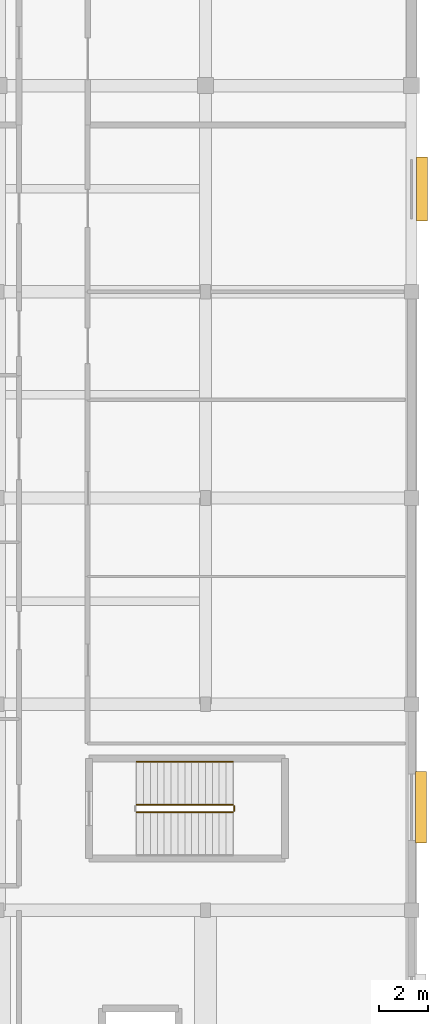
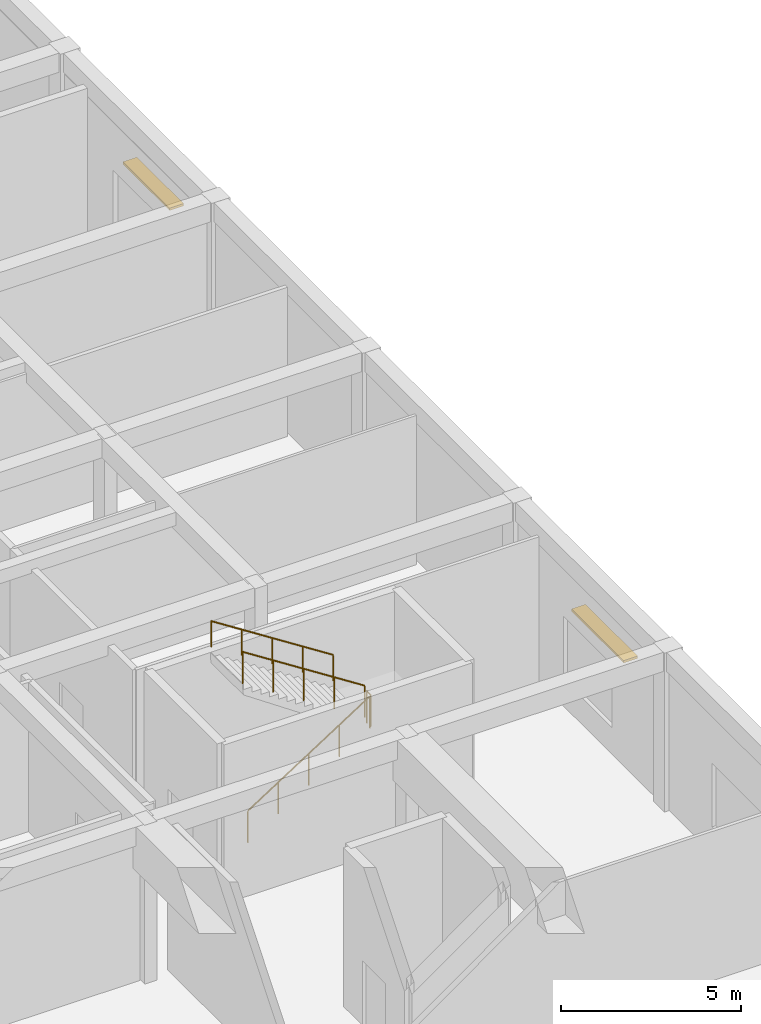
# One storey, part 87 of 89: 4 railings, 2 shading devices.
"""IFC4 building model written with IfcOpenShell, lengths in metres."""

import ifcopenshell
import ifcopenshell.guid

model = None  # the IFC model being written
_history = None  # IfcOwnerHistory: only IFC2X3 demands one
_inside = {}  # id of a spatial element -> (the spatial element, [elements in it])
_under = {}  # id of a project, library or spatial element -> (it, [spatial elements below it])
_declared = {}  # id of a project -> (the project, [libraries it declares])
_typed = {}  # id of a type object -> (the type object, [elements of that type])
_made_of = {}  # id of a material, layer set ... -> (it, [elements and type objects made of it])


def new_model(schema):
    """Start an empty IFC model of exactly this schema.

    Asked for "IFC4X3", IfcOpenShell would pick the latest addendum, in which some entities
    have other attributes; the version numbers below select the first issue.
    IFC2X3 requires an IfcOwnerHistory on every rooted entity: one is made here for all.
    """
    global model, _history
    if schema == "IFC4X3":
        model = ifcopenshell.file(schema_version=(4, 3, 0, 0))
    else:
        model = ifcopenshell.file(schema=schema)
    _inside.clear()
    _under.clear()
    _declared.clear()
    _typed.clear()
    _made_of.clear()
    _history = None
    if model.schema == "IFC2X3":
        org = make("IfcOrganization", Name="unknown")
        user = make(
            "IfcPersonAndOrganization",
            ThePerson=make("IfcPerson", FamilyName="unknown"),
            TheOrganization=org,
        )
        app = make(
            "IfcApplication",
            ApplicationDeveloper=org,
            Version="unknown",
            ApplicationFullName="unknown",
            ApplicationIdentifier="unknown",
        )
        _history = make(
            "IfcOwnerHistory",
            OwningUser=user,
            OwningApplication=app,
            ChangeAction="ADDED",
            CreationDate=0,
        )
    return model


def make(cls, **values):
    """One entity of the class cls with the attributes given. An attribute that is None is left unset."""
    return model.create_entity(
        cls, **{name: value for name, value in values.items() if value is not None}
    )


def rooted(cls, **values):
    """An entity with a GlobalId (a new one), such as an element, a storey or a relation."""
    return make(cls, GlobalId=ifcopenshell.guid.new(), OwnerHistory=_history, **values)


def si_unit(unit_type, name, prefix=None):
    """IfcSIUnit, for example si_unit("LENGTHUNIT", "METRE", prefix="MILLI")."""
    return make("IfcSIUnit", UnitType=unit_type, Prefix=prefix, Name=name)


def assignment(units):
    """IfcUnitAssignment: the units of a project."""
    return None if units is None else make("IfcUnitAssignment", Units=units)


def point(xyz):
    """IfcCartesianPoint."""
    return None if xyz is None else make("IfcCartesianPoint", Coordinates=xyz)


def direction(xyz):
    """IfcDirection."""
    return None if xyz is None else make("IfcDirection", DirectionRatios=xyz)


def frame(location, z_axis=None, x_axis=None):
    """IfcAxis2Placement3D, a coordinate frame: its origin and axes. An axis left out is left unset."""
    return make(
        "IfcAxis2Placement3D",
        Location=point(location),
        Axis=direction(z_axis),
        RefDirection=direction(x_axis),
    )


def frame_2d(location, x_axis=None):
    """IfcAxis2Placement2D, a coordinate frame in the plane: its origin and x axis."""
    return make(
        "IfcAxis2Placement2D", Location=point(location), RefDirection=direction(x_axis)
    )


def origin():
    """The frame at (0, 0, 0) with its axes left unset."""
    return frame((0.0, 0.0, 0.0))


def origin_2d():
    """The frame at (0, 0) in the plane with its x axis left unset."""
    return frame_2d((0.0, 0.0))


def place(relative_to, where):
    """IfcLocalPlacement: puts the frame where relative to a parent placement (None: the world)."""
    return make(
        "IfcLocalPlacement", PlacementRelTo=relative_to, RelativePlacement=where
    )


def context(
    kind, dimensions, precision=None, world=None, true_north=None, identifier=None
):
    """IfcGeometricRepresentationContext, for example the 3D "Model" context."""
    return make(
        "IfcGeometricRepresentationContext",
        ContextIdentifier=identifier,
        ContextType=kind,
        CoordinateSpaceDimension=dimensions,
        Precision=precision,
        WorldCoordinateSystem=world,
        TrueNorth=true_north,
    )


def subcontext(parent, identifier, kind, view, scale=None):
    """IfcGeometricRepresentationSubContext, for example "Body" below "Model"."""
    return make(
        "IfcGeometricRepresentationSubContext",
        ContextIdentifier=identifier,
        ContextType=kind,
        ParentContext=parent,
        TargetScale=scale,
        TargetView=view,
    )


def project(units=None, contexts=None):
    """IfcProject with its units and contexts."""
    return rooted(
        "IfcProject",
        Name="project",
        RepresentationContexts=contexts,
        UnitsInContext=assignment(units),
    )


def spatial(cls, under=None, at=None, **own):
    """A site, building, storey or space (cls), placed at a placement, below another one or the project."""
    s = rooted(cls, ObjectPlacement=at, **own)
    if under is not None:
        _under.setdefault(under.id(), (under, []))[1].append(s)
    return s


def profile(cls, at=None, kind="AREA", **sizes):
    """A parametric profile (cls). Its sizes go by their IFC names, for example OverallWidth=200.0."""
    return make(cls, ProfileType=kind, Position=at, **sizes)


def rectangle(**sizes):
    """IfcRectangleProfileDef."""
    return profile("IfcRectangleProfileDef", **sizes)


def circle(**sizes):
    """IfcCircleProfileDef."""
    return profile("IfcCircleProfileDef", **sizes)


def extrude(swept, where, along, depth):
    """IfcExtrudedAreaSolid: the profile swept, set in the frame where, extruded along a direction by depth."""
    return make(
        "IfcExtrudedAreaSolid",
        SweptArea=swept,
        Position=where,
        ExtrudedDirection=direction(along),
        Depth=depth,
    )


def shape(context_of_items, identifier, shape_type, items):
    """IfcShapeRepresentation: the items that make up one representation, for example the "Body"."""
    return make(
        "IfcShapeRepresentation",
        ContextOfItems=context_of_items,
        RepresentationIdentifier=identifier,
        RepresentationType=shape_type,
        Items=items,
    )


def material(Name=None, Category=None):
    """IfcMaterial."""
    return make("IfcMaterial", Name=Name, Category=Category)


def layer(
    of_material, thickness, ventilated=None, Name=None, Category=None, Priority=None
):
    """IfcMaterialLayer: one layer of a wall or slab, of a material (None: an air gap)."""
    return make(
        "IfcMaterialLayer",
        Material=of_material,
        LayerThickness=thickness,
        IsVentilated=ventilated,
        Name=Name,
        Category=Category,
        Priority=Priority,
    )


def layer_set(layers, Name=None):
    """IfcMaterialLayerSet."""
    return make("IfcMaterialLayerSet", MaterialLayers=layers, LayerSetName=Name)


def made_of(thing, what):
    """Note that an element or type object is made of a material, layer set ...; save() writes the relation."""
    if what is not None:
        _made_of.setdefault(what.id(), (what, []))[1].append(thing)
    return thing


def type_object(cls, material=None, **own):
    """A type object (cls), such as IfcWallType, which elements share."""
    return made_of(rooted(cls, **own), material)


def element(
    cls,
    number,
    at=None,
    inside=None,
    cuts=None,
    type_object=None,
    material=None,
    context=None,
    identifier="Body",
    shape_type=None,
    held_by="IfcProductDefinitionShape",
    body=None,
    shapes=None,
    **own,
):
    """One element of the class cls, such as IfcWall. Its Tag is "e" and its number.

    at: its placement. inside: the storey or other place that contains it. cuts: it is an
    opening in that element (IfcRelVoidsElement). A single representation is given by context,
    identifier, shape_type and body (its items); several are given by shapes. held_by: the class
    of the entity that holds the representations. save() writes the other relations.
    """
    e = rooted(cls, Tag="e%d" % number, ObjectPlacement=at, **own)
    if body is not None:
        shapes = [shape(context, identifier, shape_type, body)]
    if shapes is not None:
        e.Representation = make(held_by, Representations=shapes)
    if inside is not None:
        _inside.setdefault(inside.id(), (inside, []))[1].append(e)
    if cuts is not None:
        rooted(
            "IfcRelVoidsElement", RelatingBuildingElement=cuts, RelatedOpeningElement=e
        )
    if type_object is not None:
        _typed.setdefault(type_object.id(), (type_object, []))[1].append(e)
    return made_of(e, material)


def aggregate(whole, parts):
    """IfcRelAggregates: a whole, such as a stair, and the parts it consists of."""
    return rooted("IfcRelAggregates", RelatingObject=whole, RelatedObjects=parts)


def save(model, path):
    """Write the relations noted so far, then the file.

    IfcRelAggregates (storeys below a building ...), IfcRelContainedInSpatialStructure (elements
    in a storey), IfcRelDefinesByType, IfcRelAssociatesMaterial and IfcRelDeclares: one each for
    every whole, place, type object, material and project.
    """
    for whole, parts in _under.values():
        aggregate(whole, parts)
    for where, things in _inside.values():
        rooted(
            "IfcRelContainedInSpatialStructure",
            RelatedElements=things,
            RelatingStructure=where,
        )
    for kind, things in _typed.values():
        rooted("IfcRelDefinesByType", RelatedObjects=things, RelatingType=kind)
    for what, things in _made_of.values():
        rooted("IfcRelAssociatesMaterial", RelatedObjects=things, RelatingMaterial=what)
    for by, libraries in _declared.values():
        rooted("IfcRelDeclares", RelatingContext=by, RelatedDefinitions=libraries)
    model.write(path)


model = new_model("IFC4")

# Units and contexts
model_context = context("Model", 3, precision=1e-05, world=origin(), true_north=direction((0.0, 1.0)))
body_context = subcontext(model_context, "Body", "Model", "MODEL_VIEW")
ifc_project = project(units=[si_unit("LENGTHUNIT", "METRE"), si_unit("AREAUNIT", "SQUARE_METRE"), si_unit("VOLUMEUNIT", "CUBIC_METRE"), si_unit("PLANEANGLEUNIT", "RADIAN"), si_unit("MASSUNIT", "GRAM", prefix="KILO")], contexts=[model_context])

# Site, building, storey
site_placement = place(None, origin())
site = spatial("IfcSite", under=ifc_project, at=site_placement, CompositionType="ELEMENT")
building_placement = place(site_placement, origin())
building = spatial("IfcBuilding", under=site, at=building_placement, Name="Varncliffe General Hospital", CompositionType="ELEMENT")
storey_placement = place(building_placement, frame((0.0, 0.0, 10.800048828125)))
storey = spatial("IfcBuildingStorey", under=building, at=storey_placement, Name="L02", CompositionType="ELEMENT", Elevation=10.800048828125)

# Shading devices
ifc_material_1 = material(Name="Dark bronze extruded aluminium solar jalousie louvres", Category="aluminium")
ifc_layer = layer(ifc_material_1, 0.080078125)
ifc_layer_set = layer_set([ifc_layer], Name="Dark bronze extruded aluminium solar jalousie louvres")
shading_device_type = type_object("IfcShadingDeviceType", Name="Bronze Solar Jalousie Louvre Hood SHD18", PredefinedType="JALOUSIE", material=ifc_layer_set)
shading_device_1_placement = place(storey_placement, frame((176.81494140625, 86.987548828125, 3.059814453125), z_axis=(0.0, 0.0, 1.0), x_axis=(0.0, -1.0, 0.0)))
element("IfcShadingDevice", 1, at=shading_device_1_placement, inside=storey, type_object=shading_device_type, Name="L02 Bronze Window Sun-Shading Louvre 50", PredefinedType="JALOUSIE", context=body_context, shape_type="SweptSolid", body=[
    extrude(rectangle(XDim=2.60009765625, YDim=0.449951171875, at=origin_2d()), origin(), (0.0, 0.0, 1.0), 0.080078125),
])
shading_device_2_placement = place(storey_placement, frame((176.780029296875, 61.800048828125, 3.059814453125), z_axis=(0.0, 0.0, 1.0), x_axis=(0.0, -1.0, 0.0)))
element("IfcShadingDevice", 2, at=shading_device_2_placement, inside=storey, type_object=shading_device_type, Name="L02 Bronze Window Sun-Shading Louvre 51", PredefinedType="JALOUSIE", context=body_context, shape_type="SweptSolid", body=[
    extrude(rectangle(XDim=2.89990234375, YDim=0.449951171875, at=origin_2d()), origin(), (0.0, 0.0, 1.0), 0.080078125),
])

# Railings
ifc_material_2 = material(Name="Powder-coated hospital steel guardrail and handrail", Category="steel")
railing_type_1 = type_object("IfcRailingType", Name="Stair and Ramp Handrail HR46", PredefinedType="HANDRAIL", material=ifc_material_2)
railing_1_placement = place(storey_placement, frame((169.1201171875, 63.64990234375, 3.06396484375)))
element("IfcRailing", 3, at=railing_1_placement, inside=storey, type_object=railing_type_1, Name="L02 ST07 stair handrail 2", PredefinedType="HANDRAIL", context=body_context, shape_type="SweptSolid", body=[
    extrude(circle(Radius=0.02392578125, at=origin_2d()), frame((0.0, 0.0, 0.8759765625), z_axis=(-0.841186985886, 0.0, 0.540744352514), x_axis=(0.0, -1.0, 0.0)), (0.0, 0.0, 1.0), 4.660400390625),
    extrude(circle(Radius=0.02099609375, at=origin_2d()), origin(), (0.0, 0.0, 1.0), 0.851806640625),
    extrude(circle(Radius=0.02099609375, at=origin_2d()), frame((-0.97998046875, 0.0, 0.6298828125)), (0.0, 0.0, 1.0), 0.851806640625),
    extrude(circle(Radius=0.02099609375, at=origin_2d()), frame((-1.9599609375, 0.0, 1.260009765625)), (0.0, 0.0, 1.0), 0.851806640625),
    extrude(circle(Radius=0.02099609375, at=origin_2d()), frame((-2.940185546875, 0.0, 1.89013671875)), (0.0, 0.0, 1.0), 0.851806640625),
    extrude(circle(Radius=0.02099609375, at=origin_2d()), frame((-3.920166015625, 0.0, 2.52001953125)), (0.0, 0.0, 1.0), 0.851806640625),
])
railing_type_2 = type_object("IfcRailingType", Name="Stairwell Guardrail SG49", PredefinedType="GUARDRAIL", material=ifc_material_2)
railing_2_placement = place(storey_placement, frame((165.199951171875, 61.60009765625, 0.179931640625)))
element("IfcRailing", 4, at=railing_2_placement, inside=storey, type_object=railing_type_2, Name="L02 ST07 stair guard 1", PredefinedType="GUARDRAIL", context=body_context, shape_type="SweptSolid", body=[
    extrude(circle(Radius=0.02392578125, at=origin_2d()), frame((0.0, 0.0, 1.076171875), z_axis=(0.841186985886, 0.0, 0.540744352514), x_axis=(0.0, 1.0, 0.0)), (0.0, 0.0, 1.0), 4.660400390625),
    extrude(circle(Radius=0.02099609375, at=origin_2d()), origin(), (0.0, 0.0, 1.0), 1.052001953125),
    extrude(circle(Radius=0.02099609375, at=origin_2d()), frame((0.97998046875, 0.0, 0.6298828125)), (0.0, 0.0, 1.0), 1.052001953125),
    extrude(circle(Radius=0.02099609375, at=origin_2d()), frame((1.9599609375, 0.0, 1.260009765625)), (0.0, 0.0, 1.0), 1.052001953125),
    extrude(circle(Radius=0.02099609375, at=origin_2d()), frame((2.940185546875, 0.0, 1.89013671875)), (0.0, 0.0, 1.0), 1.052001953125),
    extrude(circle(Radius=0.02099609375, at=origin_2d()), frame((3.920166015625, 0.0, 2.52001953125)), (0.0, 0.0, 1.0), 1.052001953125),
])
railing_3_placement = place(storey_placement, frame((169.169921875, 61.64990234375, 2.699951171875)))
element("IfcRailing", 5, at=railing_3_placement, inside=storey, type_object=railing_type_2, Name="L02 ST07 stair guard 2", PredefinedType="GUARDRAIL", context=body_context, shape_type="SweptSolid", body=[
    extrude(circle(Radius=0.02392578125, at=origin_2d()), frame((0.0, 0.0, 1.076171875), z_axis=(0.0, 1.0, 0.0), x_axis=(-1.0, 0.0, 0.0)), (0.0, 0.0, 1.0), 0.2001953125),
    extrude(circle(Radius=0.02099609375, at=origin_2d()), origin(), (0.0, 0.0, 1.0), 1.052001953125),
    extrude(circle(Radius=0.02099609375, at=origin_2d()), frame((0.0, 0.2001953125, 0.0)), (0.0, 0.0, 1.0), 1.052001953125),
])
railing_4_placement = place(storey_placement, frame((169.1201171875, 61.89990234375, 2.8798828125)))
element("IfcRailing", 6, at=railing_4_placement, inside=storey, type_object=railing_type_2, Name="L02 ST07 stair guard 3", PredefinedType="GUARDRAIL", context=body_context, shape_type="SweptSolid", body=[
    extrude(circle(Radius=0.02392578125, at=origin_2d()), frame((0.0, 0.0, 1.076171875), z_axis=(-0.841186985886, 0.0, 0.540744352514), x_axis=(0.0, -1.0, 0.0)), (0.0, 0.0, 1.0), 4.660400390625),
    extrude(circle(Radius=0.02099609375, at=origin_2d()), origin(), (0.0, 0.0, 1.0), 1.052001953125),
    extrude(circle(Radius=0.02099609375, at=origin_2d()), frame((-0.97998046875, 0.0, 0.6298828125)), (0.0, 0.0, 1.0), 1.052001953125),
    extrude(circle(Radius=0.02099609375, at=origin_2d()), frame((-1.9599609375, 0.0, 1.260009765625)), (0.0, 0.0, 1.0), 1.052001953125),
    extrude(circle(Radius=0.02099609375, at=origin_2d()), frame((-2.940185546875, 0.0, 1.89013671875)), (0.0, 0.0, 1.0), 1.052001953125),
    extrude(circle(Radius=0.02099609375, at=origin_2d()), frame((-3.920166015625, 0.0, 2.52001953125)), (0.0, 0.0, 1.0), 1.052001953125),
])

save(model, "model.ifc")
